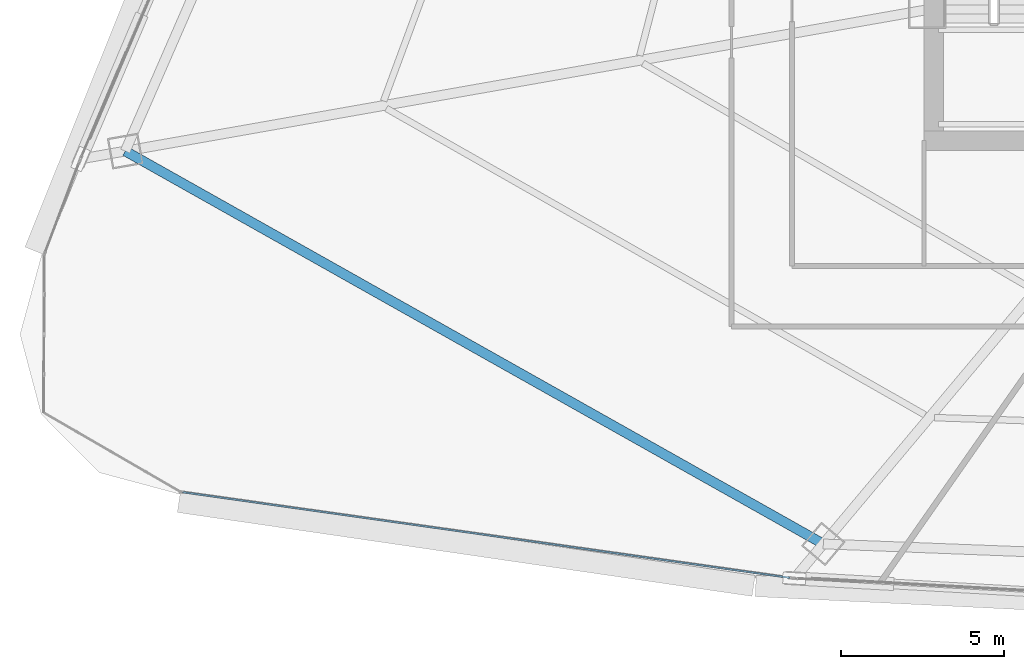
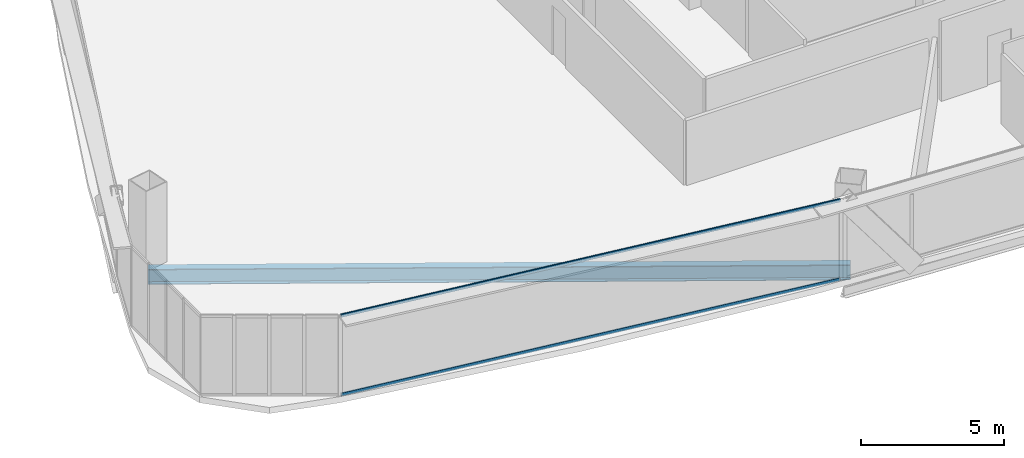
# One storey, part 3 of 41: 2 members, 1 beam, 1 element without a shape of its own.
"""IFC4 building model written with IfcOpenShell, lengths in metres."""

from ifc_helpers import new_model, si_unit, direction, frame, origin, origin_2d, place, context, subcontext, project, spatial, hollow_rectangle, i_section, extrude, source, transform, mapped, material, layer, layer_set, material_profile, profile_set, type_object, element, aggregate, save


model = new_model("IFC4")

# Units and contexts
model_context = context("Model", 3, precision=1e-05, world=origin(), true_north=direction((0.0, 1.0)))
body_context = subcontext(model_context, "Body", "Model", "MODEL_VIEW")
ifc_project = project(units=[si_unit("LENGTHUNIT", "METRE"), si_unit("AREAUNIT", "SQUARE_METRE"), si_unit("VOLUMEUNIT", "CUBIC_METRE"), si_unit("PLANEANGLEUNIT", "RADIAN"), si_unit("MASSUNIT", "GRAM", prefix="KILO"), si_unit("THERMODYNAMICTEMPERATUREUNIT", "KELVIN"), si_unit("POWERUNIT", "WATT")], contexts=[model_context])

# Site, building, storey
site_placement = place(None, origin())
site = spatial("IfcSite", under=ifc_project, at=site_placement, CompositionType="ELEMENT")
building_placement = place(site_placement, origin())
building = spatial("IfcBuilding", under=site, at=building_placement, Name="Yunzhuo Pagoda Commons", CompositionType="ELEMENT")
storey_placement = place(building_placement, frame((0.0, 0.0, 155.590087890625)))
storey = spatial("IfcBuildingStorey", under=building, at=storey_placement, Name="L39", CompositionType="ELEMENT", Elevation=155.590087890625)

# Beam
ifc_material_1 = material(Name="Structural steel Q355B", Category="steel")
ifc_material_profile_1 = material_profile(ifc_material_1, i_section(OverallWidth=0.300048828125, OverallDepth=0.64990234375, WebThickness=0.012939453125, FlangeThickness=0.02197265625, at=origin_2d()), Name="Structural steel Q355B")
ifc_profile_set_1 = profile_set([ifc_material_profile_1], Name="Structural steel Q355B")
beam_type = type_object("IfcBeamType", Name="B-RG2 Beam HN 650x300x13x22", PredefinedType="BEAM", material=ifc_profile_set_1)
shared_shape_1 = source(origin(), body_context, "Body", "SweptSolid", [
    extrude(i_section(OverallWidth=0.300048828125, OverallDepth=0.64990234375, WebThickness=0.012939453125, FlangeThickness=0.02197265625, at=origin_2d()), origin(), (0.0, 0.0, 1.0), 24.56982421875),
])
beam_placement = place(storey_placement, frame((11.0029296875, 27.176513671875, -0.585205078125), z_axis=(0.871469103633, -0.490450406681, 0.0), x_axis=(0.490450406681, 0.871469103633, 0.0)))
element("IfcBeam", 1, at=beam_placement, inside=storey, type_object=beam_type, Name="L39 column-ring beam 12", PredefinedType="BEAM", context=body_context, shape_type="MappedRepresentation", body=[
    mapped(shared_shape_1, transform((0.0, 0.0, 0.0), scale=1.0)),
])

# Curtain wall, members
ifc_material_2 = material(Name="Anodized aluminium 6063-T6", Category="aluminium")
ifc_layer = layer(ifc_material_2, 0.14990234375)
ifc_layer_set = layer_set([ifc_layer], Name="Anodized aluminium 6063-T6")
curtain_wall_type = type_object("IfcCurtainWallType", Name="CW-MID Mid-Zone Ribbon Curtain Wall", PredefinedType="NOTDEFINED", material=ifc_layer_set)
curtain_wall_placement = place(storey_placement, origin())
curtain_wall = element("IfcCurtainWall", 2, at=curtain_wall_placement, inside=storey, type_object=curtain_wall_type, Name="L39 curtain wall CW-L39-F1B1", PredefinedType="NOTDEFINED")
ifc_material_profile_2 = material_profile(ifc_material_2, hollow_rectangle(XDim=0.054931640625, YDim=0.1298828125, WallThickness=0.00341796875, at=origin_2d()), Name="Anodized aluminium 6063-T6")
ifc_profile_set_2 = profile_set([ifc_material_profile_2], Name="Anodized aluminium 6063-T6")
member_type = type_object("IfcMemberType", Name="CW-MID-T Transom RHS 130x55x3.5", PredefinedType="USERDEFINED", material=ifc_profile_set_2)
shared_shape_2 = source(origin(), body_context, "Body", "SweptSolid", [
    extrude(hollow_rectangle(XDim=0.054931640625, YDim=0.1298828125, WallThickness=0.00341796875, at=origin_2d()), origin(), (0.0, 0.0, 1.0), 18.81640625),
])
member_1_placement = place(storey_placement, frame((12.761474609375, 16.71484375, 0.02734375), z_axis=(0.990202969185, -0.139635524908, 0.0), x_axis=(0.139635524908, 0.990202969185, 0.0)))
member_1 = element("IfcMember", 3, at=member_1_placement, type_object=member_type, Name="CW transom 1.1", ObjectType="TRANSOM", PredefinedType="USERDEFINED", context=body_context, shape_type="MappedRepresentation", body=[
    mapped(shared_shape_2, transform((0.0, 0.0, 0.0), scale=1.0)),
])
member_2_placement = place(storey_placement, frame((12.761474609375, 16.71484375, 3.392333984375), z_axis=(0.990202969185, -0.139635524908, 0.0), x_axis=(0.139635524908, 0.990202969185, 0.0)))
member_2 = element("IfcMember", 4, at=member_2_placement, type_object=member_type, Name="CW transom 1.2", ObjectType="TRANSOM", PredefinedType="USERDEFINED", context=body_context, shape_type="MappedRepresentation", body=[
    mapped(shared_shape_2, transform((0.0, 0.0, 0.0), scale=1.0)),
])
aggregate(curtain_wall, [member_1, member_2])

save(model, "model.ifc")
